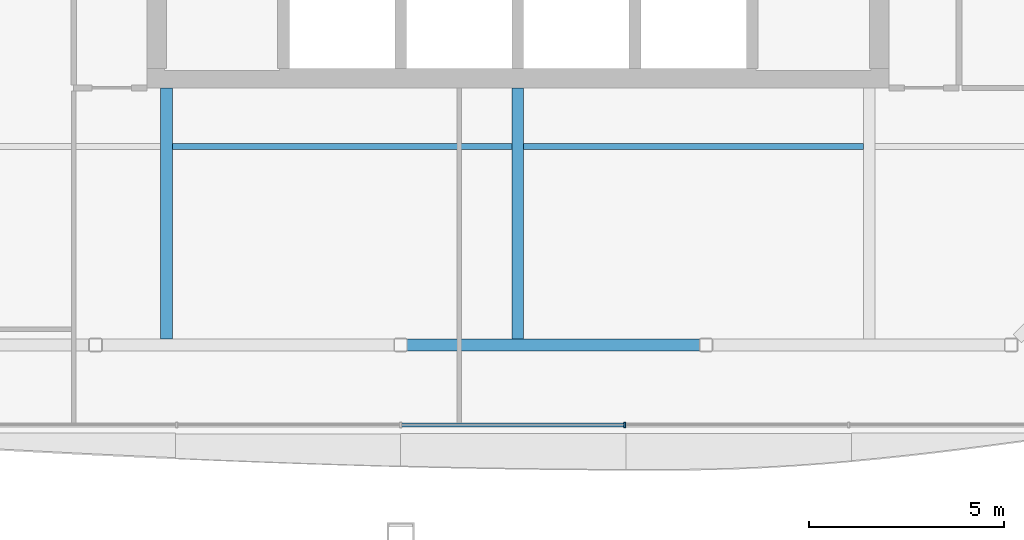
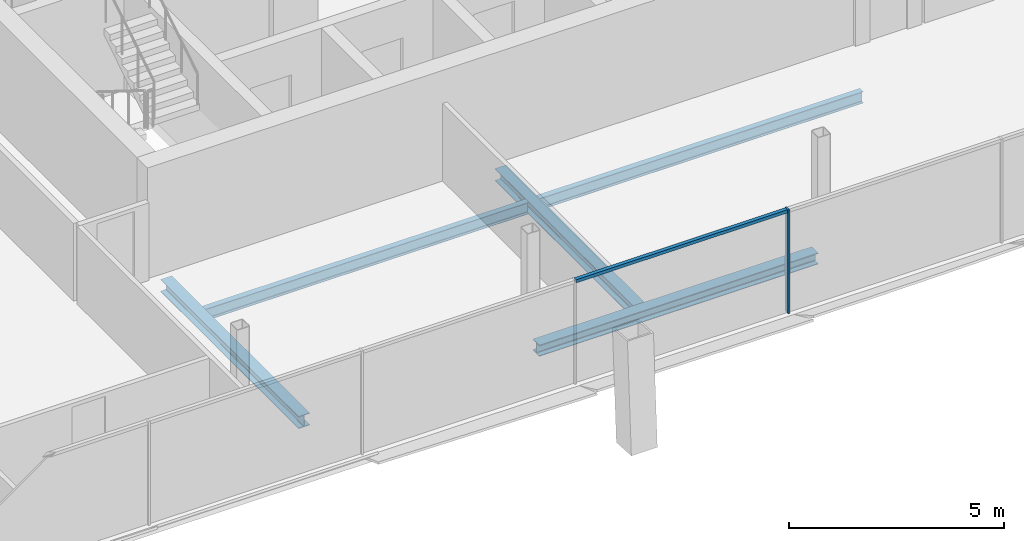
# One storey, part 5 of 20: 5 beams, 2 members, 1 element without a shape of its own.
"""IFC4 building model written with IfcOpenShell, lengths in metres."""

from ifc_helpers import new_model, si_unit, direction, frame, origin, origin_2d, place, context, subcontext, project, spatial, rectangle, i_section, extrude, material, material_profile, profile_set, type_object, element, aggregate, save


model = new_model("IFC4")

# Units and contexts
model_context = context("Model", 3, precision=1e-05, world=origin(), true_north=direction((0.0, 1.0)))
body_context = subcontext(model_context, "Body", "Model", "MODEL_VIEW")
ifc_project = project(units=[si_unit("LENGTHUNIT", "METRE"), si_unit("AREAUNIT", "SQUARE_METRE"), si_unit("VOLUMEUNIT", "CUBIC_METRE"), si_unit("PLANEANGLEUNIT", "RADIAN"), si_unit("MASSUNIT", "GRAM", prefix="KILO")], contexts=[model_context])

# Site, building, storey
site_placement = place(None, origin())
site = spatial("IfcSite", under=ifc_project, at=site_placement, CompositionType="ELEMENT")
building_placement = place(site_placement, origin())
building = spatial("IfcBuilding", under=site, at=building_placement, Name="Tskaro Facet Tower", CompositionType="ELEMENT")
storey_placement = place(building_placement, frame((0.0, 0.0, 184.800048828125)))
storey = spatial("IfcBuildingStorey", under=building, at=storey_placement, Name="L46", CompositionType="ELEMENT", Elevation=184.800048828125)

# Curtain wall, members
ifc_material_1 = material(Name="Bronze anodised aluminium 6063-T6", Category="aluminium")
curtain_wall_type = type_object("IfcCurtainWallType", Name="Bronze residence curtain wall (FW3)", PredefinedType="NOTDEFINED", material=ifc_material_1)
curtain_wall_placement = place(storey_placement, origin())
curtain_wall = element("IfcCurtainWall", 1, at=curtain_wall_placement, inside=storey, type_object=curtain_wall_type, Name="FW3 south facet L46", PredefinedType="NOTDEFINED")
ifc_material_profile_1 = material_profile(ifc_material_1, rectangle(XDim=0.050048828125, YDim=0.139892578125, at=origin_2d()), Name="Mullion 50x140")
ifc_profile_set_1 = profile_set([ifc_material_profile_1], Name="Bronze anodised aluminium 6063-T6")
member_type_1 = type_object("IfcMemberType", Name="FW3 bronze mullion 50x140", PredefinedType="MULLION", material=ifc_profile_set_1)
member_1_placement = place(storey_placement, frame((2.736328125, -20.6279296875, 0.0), z_axis=(0.0, 0.0, 1.0), x_axis=(1.0, 0.0, 0.0)))
member_1 = element("IfcMember", 2, at=member_1_placement, type_object=member_type_1, Name="FW3 south mullion 4", PredefinedType="MULLION", context=body_context, shape_type="SweptSolid", body=[
    extrude(rectangle(XDim=0.050048828125, YDim=0.139892578125, at=origin_2d()), origin(), (0.0, 0.0, 1.0), 2.949951171875),
])
ifc_material_profile_2 = material_profile(ifc_material_1, rectangle(XDim=0.10009765625, YDim=0.090087890625, at=origin_2d()), Name="Transom 100x90")
ifc_profile_set_2 = profile_set([ifc_material_profile_2], Name="Bronze anodised aluminium 6063-T6")
member_type_2 = type_object("IfcMemberType", Name="FW3 bronze transom 100x90", PredefinedType="USERDEFINED", material=ifc_profile_set_2)
member_2_placement = place(storey_placement, frame((-2.97509765625, -20.6279296875, 2.905029296875), z_axis=(1.0, 0.0, 0.0), x_axis=(0.0, 1.0, 0.0)))
member_2 = element("IfcMember", 3, at=member_2_placement, type_object=member_type_2, Name="FW3 south transom 4.1", ObjectType="TRANSOM", PredefinedType="USERDEFINED", context=body_context, shape_type="SweptSolid", body=[
    extrude(rectangle(XDim=0.10009765625, YDim=0.090087890625, at=origin_2d()), origin(), (0.0, 0.0, 1.0), 5.6865234375),
])
aggregate(curtain_wall, [member_1, member_2])

# Beams
ifc_material_2 = material(Name="Steel S355J2", Category="steel")
ifc_material_profile_3 = material_profile(ifc_material_2, i_section(OverallWidth=0.300048828125, OverallDepth=0.320068359375, WebThickness=0.011474609375, FlangeThickness=0.0205078125, FilletRadius=0.027099609375, at=origin_2d()), Name="HE 320 B")
ifc_profile_set_3 = profile_set([ifc_material_profile_3], Name="Steel S355J2")
beam_type_1 = type_object("IfcBeamType", Name="HE 320 B ring beam", PredefinedType="BEAM", material=ifc_profile_set_3)
beam_placement = place(storey_placement, frame((-2.844970703125, -18.5830078125, -0.300048828125), z_axis=(1.0, 0.0, 0.0), x_axis=(0.0, 1.0, 0.0)))
element("IfcBeam", 4, at=beam_placement, inside=storey, type_object=beam_type_1, Name="HE 320 B EB3-4", PredefinedType="BEAM", context=body_context, shape_type="SweptSolid", body=[
    extrude(i_section(OverallWidth=0.300048828125, OverallDepth=0.320068359375, WebThickness=0.011474609375, FlangeThickness=0.0205078125, FilletRadius=0.027099609375, at=origin_2d()), origin(), (0.0, 0.0, 1.0), 7.507080078125),
])
ifc_material_profile_4 = material_profile(ifc_material_2, i_section(OverallWidth=0.300048828125, OverallDepth=0.35009765625, WebThickness=0.010009765625, FlangeThickness=0.017578125, FilletRadius=0.027099609375, at=origin_2d()), Name="HE 360 A")
ifc_profile_set_4 = profile_set([ifc_material_profile_4], Name="Steel S355J2")
beam_type_2 = type_object("IfcBeamType", Name="HE 360 A girder", PredefinedType="BEAM", material=ifc_profile_set_4)
for number, where, z_axis, x_axis, name in (
    (5, (-9.0, -18.43310546875, -0.31494140625), (0.0, 1.0, 0.0), (-1.0, 0.0, 0.0), "HE 360 A GB3-1-4"),
    (6, (0.0, -18.43310546875, -0.31494140625), (0.0, 1.0, 0.0), (-1.0, 0.0, 0.0), "HE 360 A GB4-1-4"),
):
    element("IfcBeam", number, at=place(storey_placement, frame(where, z_axis=z_axis, x_axis=x_axis)), inside=storey, type_object=beam_type_2, Name=name, PredefinedType="BEAM", context=body_context, shape_type="SweptSolid", body=[
        extrude(i_section(OverallWidth=0.300048828125, OverallDepth=0.35009765625, WebThickness=0.010009765625, FlangeThickness=0.017578125, FilletRadius=0.027099609375, at=origin_2d()), origin(), (0.0, 0.0, 1.0), 6.43310546875),
    ])
ifc_material_profile_5 = material_profile(ifc_material_2, i_section(OverallWidth=0.159912109375, OverallDepth=0.330078125, WebThickness=0.007568359375, FlangeThickness=0.011474609375, FilletRadius=0.01806640625, at=origin_2d()), Name="IPE 330")
ifc_profile_set_5 = profile_set([ifc_material_profile_5], Name="Steel S355J2")
beam_type_3 = type_object("IfcBeamType", Name="IPE 330 secondary beam", PredefinedType="BEAM", material=ifc_profile_set_5)
for number, where, z_axis, x_axis, name in (
    (7, (-8.85009765625, -13.5, -0.304931640625), (1.0, 0.0, 0.0), (0.0, 1.0, 0.0), "IPE 330 SB2a-3-4"),
    (8, (0.14990234375, -13.5, -0.304931640625), (1.0, 0.0, 0.0), (0.0, 1.0, 0.0), "IPE 330 SB2a-4-4"),
):
    element("IfcBeam", number, at=place(storey_placement, frame(where, z_axis=z_axis, x_axis=x_axis)), inside=storey, type_object=beam_type_3, Name=name, PredefinedType="BEAM", context=body_context, shape_type="SweptSolid", body=[
        extrude(i_section(OverallWidth=0.159912109375, OverallDepth=0.330078125, WebThickness=0.007568359375, FlangeThickness=0.011474609375, FilletRadius=0.01806640625, at=origin_2d()), origin(), (0.0, 0.0, 1.0), 8.7001953125),
    ])

save(model, "model.ifc")
